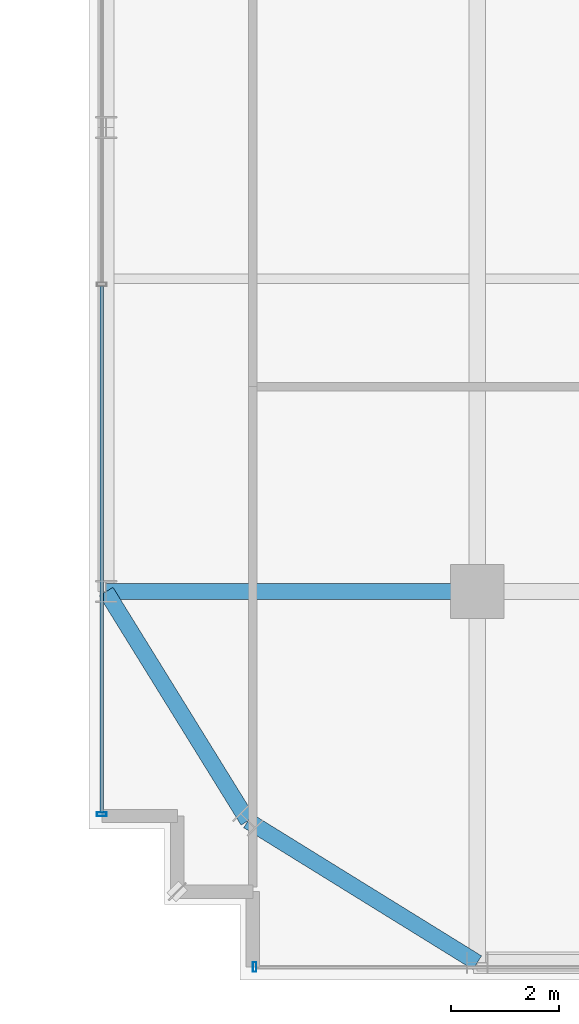
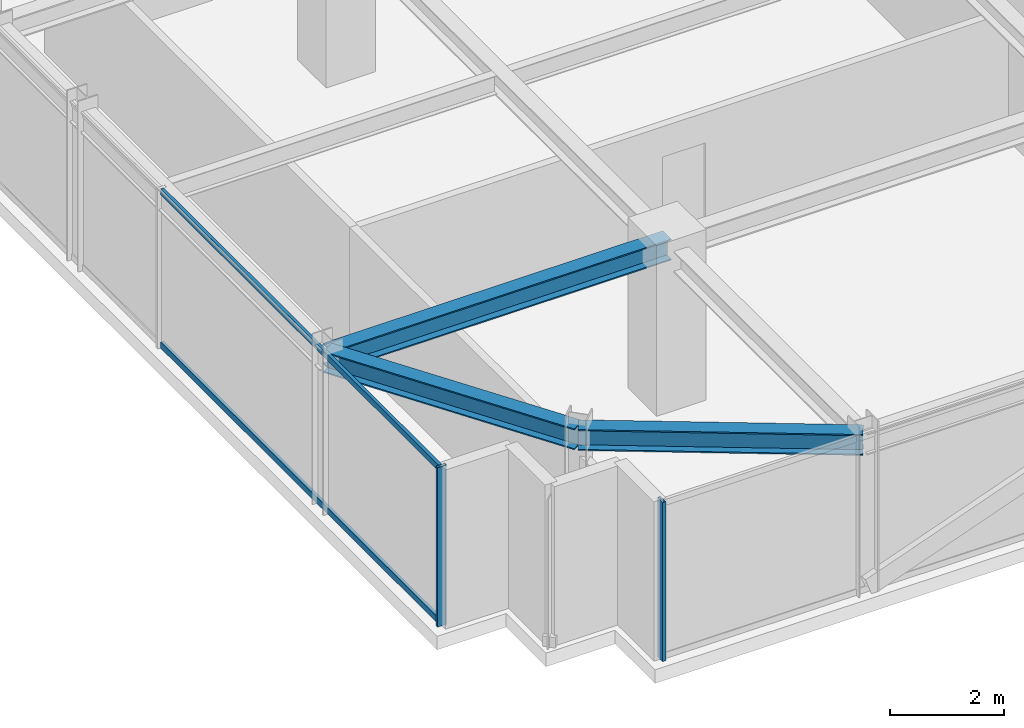
# One storey, part 4 of 41: 4 members, 3 beams, 2 elements without a shape of their own.
"""IFC4 building model written with IfcOpenShell, lengths in metres."""

from ifc_helpers import new_model, si_unit, direction, frame, origin, origin_2d, place, context, subcontext, project, spatial, hollow_rectangle, i_section, extrude, source, transform, mapped, material, material_profile, profile_set, type_object, element, aggregate, save


model = new_model("IFC4")

# Units and contexts
model_context = context("Model", 3, precision=1e-05, world=origin(), true_north=direction((0.0, 1.0)))
body_context = subcontext(model_context, "Body", "Model", "MODEL_VIEW")
ifc_project = project(units=[si_unit("LENGTHUNIT", "METRE"), si_unit("AREAUNIT", "SQUARE_METRE"), si_unit("VOLUMEUNIT", "CUBIC_METRE"), si_unit("PLANEANGLEUNIT", "RADIAN"), si_unit("MASSUNIT", "GRAM", prefix="KILO")], contexts=[model_context])

# Site, building, storey
site_placement = place(None, origin())
site = spatial("IfcSite", under=ifc_project, at=site_placement, CompositionType="ELEMENT")
building_placement = place(site_placement, origin())
building = spatial("IfcBuilding", under=site, at=building_placement, Name="Nahalor Promenade Grand Hotel", CompositionType="ELEMENT")
storey_placement = place(building_placement, frame((0.0, 0.0, 227.10009765625)))
storey = spatial("IfcBuildingStorey", under=building, at=storey_placement, Name="L58", CompositionType="ELEMENT", Elevation=227.10009765625)

# Beams
ifc_material_1 = material(Name="Steel S355JR", Category="steel")
ifc_material_profile_1 = material_profile(ifc_material_1, i_section(OverallWidth=0.3, OverallDepth=0.45, WebThickness=0.014, FlangeThickness=0.026, at=origin_2d()), Name="HEB 450")
ifc_profile_set_1 = profile_set([ifc_material_profile_1], Name="Steel S355JR")
beam_type_1 = type_object("IfcBeamType", Name="Beam-Spandrel-HEB450", PredefinedType="SPANDREL", material=ifc_profile_set_1)
shared_shape_1 = source(origin(), body_context, "Body", "SweptSolid", [
    extrude(i_section(OverallWidth=0.3, OverallDepth=0.45, WebThickness=0.014, FlangeThickness=0.026, at=origin_2d()), origin(), (0.0, 0.0, 1.0), 4.997802734375),
])
for number, where, z_axis, x_axis, name in (
    (1, (-17.0, -23.8798828125, 3.184814453125), (-0.850360908404, 0.526199891161, 0.0), (-0.526199891161, -0.850360908404, 0.0), "BM-L58-SPC-SW-1"),
    (2, (-21.25, -21.25, 3.184814453125), (-0.526199891161, 0.850360908404, 0.0), (-0.850360908404, -0.526199891161, 0.0), "BM-L58-SPC-SW-2"),
):
    element("IfcBeam", number, at=place(storey_placement, frame(where, z_axis=z_axis, x_axis=x_axis)), inside=storey, type_object=beam_type_1, Name=name, PredefinedType="SPANDREL", context=body_context, shape_type="MappedRepresentation", body=[
        mapped(shared_shape_1, transform((0.0, 0.0, 0.0), scale=1.0)),
    ])
ifc_material_profile_2 = material_profile(ifc_material_1, i_section(OverallWidth=0.3, OverallDepth=0.45, WebThickness=0.014, FlangeThickness=0.026, at=origin_2d()), Name="HEB 450")
ifc_profile_set_2 = profile_set([ifc_material_profile_2], Name="Steel S355JR")
beam_type_2 = type_object("IfcBeamType", Name="Beam-Girder-HEB450", PredefinedType="BEAM", material=ifc_profile_set_2)
shared_shape_2 = source(origin(), body_context, "Body", "SweptSolid", [
    extrude(i_section(OverallWidth=0.3, OverallDepth=0.45, WebThickness=0.014, FlangeThickness=0.026, at=origin_2d()), origin(), (0.0, 0.0, 1.0), 6.8798828125),
])
beam_placement = place(storey_placement, frame((-23.8798828125, -17.0, 3.184814453125), z_axis=(1.0, 0.0, 0.0), x_axis=(0.0, 1.0, 0.0)))
element("IfcBeam", 3, at=beam_placement, inside=storey, type_object=beam_type_2, Name="BM-L58-GX-0-0", PredefinedType="BEAM", context=body_context, shape_type="MappedRepresentation", body=[
    mapped(shared_shape_2, transform((0.0, 0.0, 0.0), scale=1.0)),
])

# Curtain wall, members
ifc_material_2 = material(Name="Anodised Bronze Aluminium EN AW-6063 T6", Category="aluminium")
curtain_wall_type = type_object("IfcCurtainWallType", Name="CW2 Typical Hotel Flush Bronze Unitised Curtain Wall", PredefinedType="USERDEFINED", material=ifc_material_2)
curtain_wall_1_placement = place(storey_placement, origin())
curtain_wall_1 = element("IfcCurtainWall", 4, at=curtain_wall_1_placement, inside=storey, type_object=curtain_wall_type, Name="L58 Curtain Wall CW-L58-W-1", ObjectType="UNITISED_CURTAIN_WALL", PredefinedType="USERDEFINED")
ifc_material_profile_3 = material_profile(ifc_material_2, hollow_rectangle(XDim=0.065, YDim=0.13, WallThickness=0.004, at=origin_2d()), Name="CWT 65x130x4")
ifc_profile_set_3 = profile_set([ifc_material_profile_3], Name="Anodised Bronze Aluminium EN AW-6063 T6")
member_type_1 = type_object("IfcMemberType", Name="CWT2 Typical Bronze Transom 65x130", PredefinedType="USERDEFINED", material=ifc_profile_set_3)
shared_shape_3 = source(origin(), body_context, "Body", "SweptSolid", [
    extrude(hollow_rectangle(XDim=0.065, YDim=0.13, WallThickness=0.004, at=origin_2d()), origin(), (0.0, 0.0, 1.0), 9.755859375),
])
member_1_placement = place(storey_placement, frame((-23.9599609375, -21.094970703125, 0.06494140625), z_axis=(0.0, 1.0, 0.0), x_axis=(-1.0, 0.0, 0.0)))
member_1 = element("IfcMember", 5, at=member_1_placement, type_object=member_type_1, Name="CW-L58-W-1 Transom 0-0", ObjectType="TRANSOM", PredefinedType="USERDEFINED", context=body_context, shape_type="MappedRepresentation", body=[
    mapped(shared_shape_3, transform((0.0, 0.0, 0.0), scale=1.0)),
])
member_2_placement = place(storey_placement, frame((-23.9599609375, -21.094970703125, 3.344970703125), z_axis=(0.0, 1.0, 0.0), x_axis=(-1.0, 0.0, 0.0)))
member_2 = element("IfcMember", 6, at=member_2_placement, type_object=member_type_1, Name="CW-L58-W-1 Transom 0-1", ObjectType="TRANSOM", PredefinedType="USERDEFINED", context=body_context, shape_type="MappedRepresentation", body=[
    mapped(shared_shape_3, transform((0.0, 0.0, 0.0), scale=1.0)),
])

# Curtain wall, member
curtain_wall_2_placement = place(storey_placement, origin())
curtain_wall_2 = element("IfcCurtainWall", 7, at=curtain_wall_2_placement, inside=storey, type_object=curtain_wall_type, Name="L58 Curtain Wall CW-L58-S-1", ObjectType="UNITISED_CURTAIN_WALL", PredefinedType="USERDEFINED")
ifc_material_profile_4 = material_profile(ifc_material_2, hollow_rectangle(XDim=0.065, YDim=0.18, WallThickness=0.004, at=origin_2d()), Name="CWM 65x180x4")
ifc_profile_set_4 = profile_set([ifc_material_profile_4], Name="Anodised Bronze Aluminium EN AW-6063 T6")
member_type_2 = type_object("IfcMemberType", Name="CWM2 Typical Bronze Mullion 65x180", PredefinedType="MULLION", material=ifc_profile_set_4)
shared_shape_4 = source(origin(), body_context, "Body", "SweptSolid", [
    extrude(hollow_rectangle(XDim=0.065, YDim=0.18, WallThickness=0.004, at=origin_2d()), origin(), (0.0, 0.0, 1.0), 3.409912109375),
])
member_3_placement = place(storey_placement, frame((-21.12744140625, -23.9599609375, 0.0), z_axis=(0.0, 0.0, 1.0), x_axis=(1.0, 0.0, 0.0)))
member_3 = element("IfcMember", 8, at=member_3_placement, type_object=member_type_2, Name="CW-L58-S-1 Mullion 0", PredefinedType="MULLION", context=body_context, shape_type="MappedRepresentation", body=[
    mapped(shared_shape_4, transform((0.0, 0.0, 0.0), scale=1.0)),
])
aggregate(curtain_wall_2, [member_3])

# Member
member_4_placement = place(storey_placement, frame((-23.9599609375, -21.12744140625, 0.0), z_axis=(0.0, 0.0, 1.0), x_axis=(0.0, 1.0, 0.0)))
member_4 = element("IfcMember", 9, at=member_4_placement, type_object=member_type_2, Name="CW-L58-W-1 Mullion 0", PredefinedType="MULLION", context=body_context, shape_type="MappedRepresentation", body=[
    mapped(shared_shape_4, transform((0.0, 0.0, 0.0), scale=1.0)),
])

aggregate(curtain_wall_1, [member_4, member_1, member_2])

save(model, "model.ifc")
